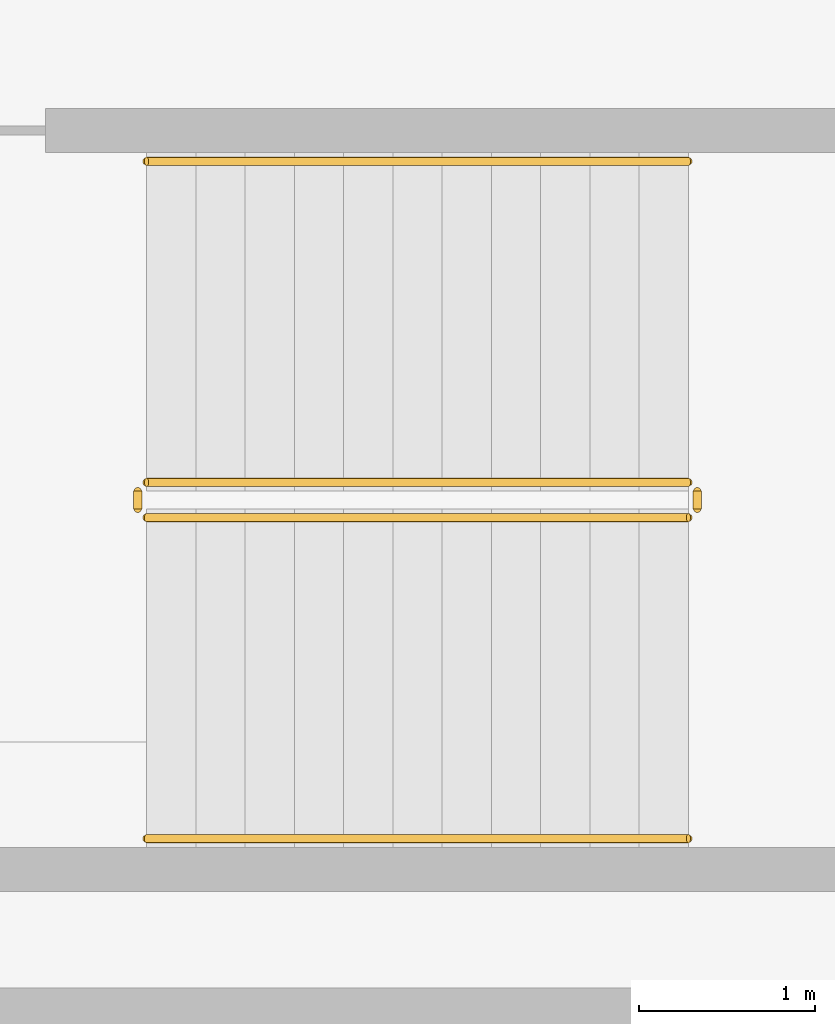
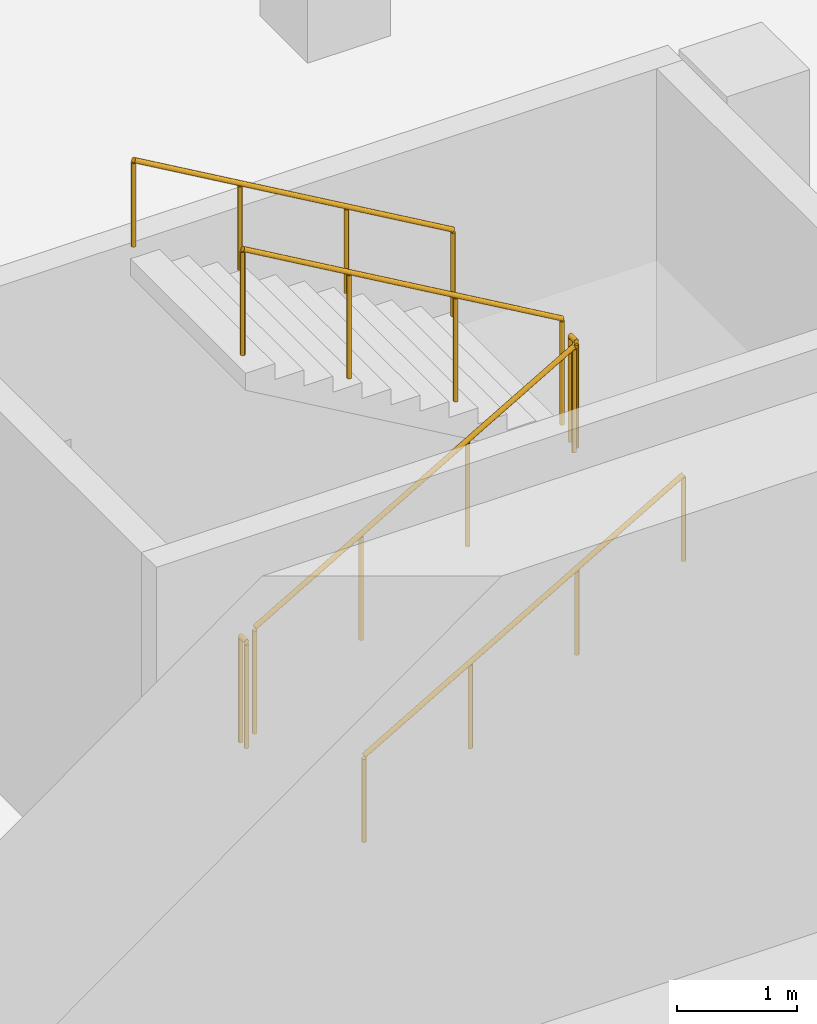
# One storey, part 20 of 27: 6 railings.
"""IFC4 building model written with IfcOpenShell, lengths in metres."""

import ifcopenshell
import ifcopenshell.guid

model = None  # the IFC model being written
_history = None  # IfcOwnerHistory: only IFC2X3 demands one
_inside = {}  # id of a spatial element -> (the spatial element, [elements in it])
_under = {}  # id of a project, library or spatial element -> (it, [spatial elements below it])
_declared = {}  # id of a project -> (the project, [libraries it declares])
_typed = {}  # id of a type object -> (the type object, [elements of that type])
_made_of = {}  # id of a material, layer set ... -> (it, [elements and type objects made of it])


def new_model(schema):
    """Start an empty IFC model of exactly this schema.

    Asked for "IFC4X3", IfcOpenShell would pick the latest addendum, in which some entities
    have other attributes; the version numbers below select the first issue.
    IFC2X3 requires an IfcOwnerHistory on every rooted entity: one is made here for all.
    """
    global model, _history
    if schema == "IFC4X3":
        model = ifcopenshell.file(schema_version=(4, 3, 0, 0))
    else:
        model = ifcopenshell.file(schema=schema)
    _inside.clear()
    _under.clear()
    _declared.clear()
    _typed.clear()
    _made_of.clear()
    _history = None
    if model.schema == "IFC2X3":
        org = make("IfcOrganization", Name="unknown")
        user = make(
            "IfcPersonAndOrganization",
            ThePerson=make("IfcPerson", FamilyName="unknown"),
            TheOrganization=org,
        )
        app = make(
            "IfcApplication",
            ApplicationDeveloper=org,
            Version="unknown",
            ApplicationFullName="unknown",
            ApplicationIdentifier="unknown",
        )
        _history = make(
            "IfcOwnerHistory",
            OwningUser=user,
            OwningApplication=app,
            ChangeAction="ADDED",
            CreationDate=0,
        )
    return model


def make(cls, **values):
    """One entity of the class cls with the attributes given. An attribute that is None is left unset."""
    return model.create_entity(
        cls, **{name: value for name, value in values.items() if value is not None}
    )


def rooted(cls, **values):
    """An entity with a GlobalId (a new one), such as an element, a storey or a relation."""
    return make(cls, GlobalId=ifcopenshell.guid.new(), OwnerHistory=_history, **values)


def si_unit(unit_type, name, prefix=None):
    """IfcSIUnit, for example si_unit("LENGTHUNIT", "METRE", prefix="MILLI")."""
    return make("IfcSIUnit", UnitType=unit_type, Prefix=prefix, Name=name)


def assignment(units):
    """IfcUnitAssignment: the units of a project."""
    return None if units is None else make("IfcUnitAssignment", Units=units)


def point(xyz):
    """IfcCartesianPoint."""
    return None if xyz is None else make("IfcCartesianPoint", Coordinates=xyz)


def direction(xyz):
    """IfcDirection."""
    return None if xyz is None else make("IfcDirection", DirectionRatios=xyz)


def frame(location, z_axis=None, x_axis=None):
    """IfcAxis2Placement3D, a coordinate frame: its origin and axes. An axis left out is left unset."""
    return make(
        "IfcAxis2Placement3D",
        Location=point(location),
        Axis=direction(z_axis),
        RefDirection=direction(x_axis),
    )


def frame_2d(location, x_axis=None):
    """IfcAxis2Placement2D, a coordinate frame in the plane: its origin and x axis."""
    return make(
        "IfcAxis2Placement2D", Location=point(location), RefDirection=direction(x_axis)
    )


def origin():
    """The frame at (0, 0, 0) with its axes left unset."""
    return frame((0.0, 0.0, 0.0))


def origin_2d():
    """The frame at (0, 0) in the plane with its x axis left unset."""
    return frame_2d((0.0, 0.0))


def place(relative_to, where):
    """IfcLocalPlacement: puts the frame where relative to a parent placement (None: the world)."""
    return make(
        "IfcLocalPlacement", PlacementRelTo=relative_to, RelativePlacement=where
    )


def context(
    kind, dimensions, precision=None, world=None, true_north=None, identifier=None
):
    """IfcGeometricRepresentationContext, for example the 3D "Model" context."""
    return make(
        "IfcGeometricRepresentationContext",
        ContextIdentifier=identifier,
        ContextType=kind,
        CoordinateSpaceDimension=dimensions,
        Precision=precision,
        WorldCoordinateSystem=world,
        TrueNorth=true_north,
    )


def subcontext(parent, identifier, kind, view, scale=None):
    """IfcGeometricRepresentationSubContext, for example "Body" below "Model"."""
    return make(
        "IfcGeometricRepresentationSubContext",
        ContextIdentifier=identifier,
        ContextType=kind,
        ParentContext=parent,
        TargetScale=scale,
        TargetView=view,
    )


def project(units=None, contexts=None):
    """IfcProject with its units and contexts."""
    return rooted(
        "IfcProject",
        Name="project",
        RepresentationContexts=contexts,
        UnitsInContext=assignment(units),
    )


def spatial(cls, under=None, at=None, **own):
    """A site, building, storey or space (cls), placed at a placement, below another one or the project."""
    s = rooted(cls, ObjectPlacement=at, **own)
    if under is not None:
        _under.setdefault(under.id(), (under, []))[1].append(s)
    return s


def profile(cls, at=None, kind="AREA", **sizes):
    """A parametric profile (cls). Its sizes go by their IFC names, for example OverallWidth=200.0."""
    return make(cls, ProfileType=kind, Position=at, **sizes)


def circle(**sizes):
    """IfcCircleProfileDef."""
    return profile("IfcCircleProfileDef", **sizes)


def extrude(swept, where, along, depth):
    """IfcExtrudedAreaSolid: the profile swept, set in the frame where, extruded along a direction by depth."""
    return make(
        "IfcExtrudedAreaSolid",
        SweptArea=swept,
        Position=where,
        ExtrudedDirection=direction(along),
        Depth=depth,
    )


def shape(context_of_items, identifier, shape_type, items):
    """IfcShapeRepresentation: the items that make up one representation, for example the "Body"."""
    return make(
        "IfcShapeRepresentation",
        ContextOfItems=context_of_items,
        RepresentationIdentifier=identifier,
        RepresentationType=shape_type,
        Items=items,
    )


def material(Name=None, Category=None):
    """IfcMaterial."""
    return make("IfcMaterial", Name=Name, Category=Category)


def made_of(thing, what):
    """Note that an element or type object is made of a material, layer set ...; save() writes the relation."""
    if what is not None:
        _made_of.setdefault(what.id(), (what, []))[1].append(thing)
    return thing


def type_object(cls, material=None, **own):
    """A type object (cls), such as IfcWallType, which elements share."""
    return made_of(rooted(cls, **own), material)


def element(
    cls,
    number,
    at=None,
    inside=None,
    cuts=None,
    type_object=None,
    material=None,
    context=None,
    identifier="Body",
    shape_type=None,
    held_by="IfcProductDefinitionShape",
    body=None,
    shapes=None,
    **own,
):
    """One element of the class cls, such as IfcWall. Its Tag is "e" and its number.

    at: its placement. inside: the storey or other place that contains it. cuts: it is an
    opening in that element (IfcRelVoidsElement). A single representation is given by context,
    identifier, shape_type and body (its items); several are given by shapes. held_by: the class
    of the entity that holds the representations. save() writes the other relations.
    """
    e = rooted(cls, Tag="e%d" % number, ObjectPlacement=at, **own)
    if body is not None:
        shapes = [shape(context, identifier, shape_type, body)]
    if shapes is not None:
        e.Representation = make(held_by, Representations=shapes)
    if inside is not None:
        _inside.setdefault(inside.id(), (inside, []))[1].append(e)
    if cuts is not None:
        rooted(
            "IfcRelVoidsElement", RelatingBuildingElement=cuts, RelatedOpeningElement=e
        )
    if type_object is not None:
        _typed.setdefault(type_object.id(), (type_object, []))[1].append(e)
    return made_of(e, material)


def aggregate(whole, parts):
    """IfcRelAggregates: a whole, such as a stair, and the parts it consists of."""
    return rooted("IfcRelAggregates", RelatingObject=whole, RelatedObjects=parts)


def save(model, path):
    """Write the relations noted so far, then the file.

    IfcRelAggregates (storeys below a building ...), IfcRelContainedInSpatialStructure (elements
    in a storey), IfcRelDefinesByType, IfcRelAssociatesMaterial and IfcRelDeclares: one each for
    every whole, place, type object, material and project.
    """
    for whole, parts in _under.values():
        aggregate(whole, parts)
    for where, things in _inside.values():
        rooted(
            "IfcRelContainedInSpatialStructure",
            RelatedElements=things,
            RelatingStructure=where,
        )
    for kind, things in _typed.values():
        rooted("IfcRelDefinesByType", RelatedObjects=things, RelatingType=kind)
    for what, things in _made_of.values():
        rooted("IfcRelAssociatesMaterial", RelatedObjects=things, RelatingMaterial=what)
    for by, libraries in _declared.values():
        rooted("IfcRelDeclares", RelatingContext=by, RelatedDefinitions=libraries)
    model.write(path)


model = new_model("IFC4")

# Units and contexts
model_context = context("Model", 3, precision=1e-05, world=origin(), true_north=direction((0.0, 1.0)))
body_context = subcontext(model_context, "Body", "Model", "MODEL_VIEW")
ifc_project = project(units=[si_unit("LENGTHUNIT", "METRE"), si_unit("AREAUNIT", "SQUARE_METRE"), si_unit("VOLUMEUNIT", "CUBIC_METRE"), si_unit("PLANEANGLEUNIT", "RADIAN"), si_unit("MASSUNIT", "GRAM", prefix="KILO")], contexts=[model_context])

# Site, building, storey
site_placement = place(None, origin())
site = spatial("IfcSite", under=ifc_project, at=site_placement, CompositionType="ELEMENT")
building_placement = place(site_placement, origin())
building = spatial("IfcBuilding", under=site, at=building_placement, Name="Verdalira Terraces Hotel", CompositionType="ELEMENT")
storey_placement = place(building_placement, frame((0.0, 0.0, -11.699951)))
storey = spatial("IfcBuildingStorey", under=building, at=storey_placement, Name="B3", CompositionType="ELEMENT", Elevation=-11.699951171875)

# Railings
ifc_material_1 = material(Name="Stainless steel", Category="steel")
railing_type_1 = type_object("IfcRailingType", Name="Stair guard 1100", PredefinedType="GUARDRAIL", material=ifc_material_1)
railing_1_placement = place(storey_placement, frame((-30.975098, -50.324951, 0.162354)))
element("IfcRailing", 1, at=railing_1_placement, inside=storey, type_object=railing_type_1, Name="B3 Basement stair 1 stair guard 1", PredefinedType="GUARDRAIL", context=body_context, shape_type="SweptSolid", body=[
    extrude(circle(Radius=0.023926, at=origin_2d()), frame((0.0, 0.0, 1.076172), z_axis=(0.864890721, 0.0, 0.501960198), x_axis=(0.0, 1.0, 0.0)), (0.0, 0.0, 1.0), 3.561279),
    extrude(circle(Radius=0.020996, at=origin_2d()), origin(), (0.0, 0.0, 1.0), 1.052002),
    extrude(circle(Radius=0.020996, at=origin_2d()), frame((1.026611, 0.0, 0.595947)), (0.0, 0.0, 1.0), 1.052002),
    extrude(circle(Radius=0.020996, at=origin_2d()), frame((2.053467, 0.0, 1.19165)), (0.0, 0.0, 1.0), 1.052002),
    extrude(circle(Radius=0.020996, at=origin_2d()), frame((3.080078, 0.0, 1.787598)), (0.0, 0.0, 1.0), 1.052002),
])
railing_2_placement = place(storey_placement, frame((-27.844971, -50.274902, 1.949951)))
element("IfcRailing", 2, at=railing_2_placement, inside=storey, type_object=railing_type_1, Name="B3 Basement stair 1 stair guard 2", PredefinedType="GUARDRAIL", context=body_context, shape_type="SweptSolid", body=[
    extrude(circle(Radius=0.023926, at=origin_2d()), frame((0.0, 0.0, 1.076172), z_axis=(0.0, 1.0, 0.0), x_axis=(-1.0, 0.0, 0.0)), (0.0, 0.0, 1.0), 0.099854),
    extrude(circle(Radius=0.020996, at=origin_2d()), origin(), (0.0, 0.0, 1.0), 1.052002),
    extrude(circle(Radius=0.020996, at=origin_2d()), frame((0.0, 0.099854, 0.0)), (0.0, 0.0, 1.0), 1.052002),
])
railing_3_placement = place(storey_placement, frame((-27.89502, -50.125, 2.112549)))
element("IfcRailing", 3, at=railing_3_placement, inside=storey, type_object=railing_type_1, Name="B3 Basement stair 1 stair guard 3", PredefinedType="GUARDRAIL", context=body_context, shape_type="SweptSolid", body=[
    extrude(circle(Radius=0.023926, at=origin_2d()), frame((0.0, 0.0, 1.076172), z_axis=(-0.864920483, 0.0, 0.501908914), x_axis=(0.0, -1.0, 0.0)), (0.0, 0.0, 1.0), 3.561035),
    extrude(circle(Radius=0.020996, at=origin_2d()), origin(), (0.0, 0.0, 1.0), 1.052002),
    extrude(circle(Radius=0.020996, at=origin_2d()), frame((-1.026611, 0.0, 0.595703)), (0.0, 0.0, 1.0), 1.052002),
    extrude(circle(Radius=0.020996, at=origin_2d()), frame((-2.053467, 0.0, 1.19165)), (0.0, 0.0, 1.0), 1.052002),
    extrude(circle(Radius=0.020996, at=origin_2d()), frame((-3.080078, 0.0, 1.787354)), (0.0, 0.0, 1.0), 1.052002),
])
railing_4_placement = place(storey_placement, frame((-31.024902, -50.274902, 0.0)))
element("IfcRailing", 4, at=railing_4_placement, inside=storey, type_object=railing_type_1, Name="B3 Basement stair 1 stair guard 4", PredefinedType="GUARDRAIL", context=body_context, shape_type="SweptSolid", body=[
    extrude(circle(Radius=0.023926, at=origin_2d()), frame((0.0, 0.0, 1.076172), z_axis=(0.0, 1.0, 0.0), x_axis=(-1.0, 0.0, 0.0)), (0.0, 0.0, 1.0), 0.099854),
    extrude(circle(Radius=0.020996, at=origin_2d()), origin(), (0.0, 0.0, 1.0), 1.052002),
    extrude(circle(Radius=0.020996, at=origin_2d()), frame((0.0, 0.099854, 0.0)), (0.0, 0.0, 1.0), 1.052002),
])
ifc_material_2 = material(Name="Stainless steel", Category="steel")
railing_type_2 = type_object("IfcRailingType", Name="Stair handrail 900", PredefinedType="HANDRAIL", material=ifc_material_2)
railing_5_placement = place(storey_placement, frame((-30.975098, -52.149902, 0.162354)))
element("IfcRailing", 5, at=railing_5_placement, inside=storey, type_object=railing_type_2, Name="B3 Basement stair 1 stair handrail 1", PredefinedType="HANDRAIL", context=body_context, shape_type="SweptSolid", body=[
    extrude(circle(Radius=0.023926, at=origin_2d()), frame((0.0, 0.0, 0.875977), z_axis=(0.864890721, 0.0, 0.501960198), x_axis=(0.0, 1.0, 0.0)), (0.0, 0.0, 1.0), 3.561279),
    extrude(circle(Radius=0.020996, at=origin_2d()), origin(), (0.0, 0.0, 1.0), 0.851807),
    extrude(circle(Radius=0.020996, at=origin_2d()), frame((1.026611, 0.0, 0.595947)), (0.0, 0.0, 1.0), 0.851807),
    extrude(circle(Radius=0.020996, at=origin_2d()), frame((2.053467, 0.0, 1.19165)), (0.0, 0.0, 1.0), 0.851807),
    extrude(circle(Radius=0.020996, at=origin_2d()), frame((3.080078, 0.0, 1.787598)), (0.0, 0.0, 1.0), 0.851807),
])
railing_6_placement = place(storey_placement, frame((-27.89502, -48.300049, 2.112549)))
element("IfcRailing", 6, at=railing_6_placement, inside=storey, type_object=railing_type_2, Name="B3 Basement stair 1 stair handrail 2", PredefinedType="HANDRAIL", context=body_context, shape_type="SweptSolid", body=[
    extrude(circle(Radius=0.023926, at=origin_2d()), frame((0.0, 0.0, 0.875977), z_axis=(-0.864920483, 0.0, 0.501908914), x_axis=(0.0, -1.0, 0.0)), (0.0, 0.0, 1.0), 3.561035),
    extrude(circle(Radius=0.020996, at=origin_2d()), origin(), (0.0, 0.0, 1.0), 0.851807),
    extrude(circle(Radius=0.020996, at=origin_2d()), frame((-1.026611, 0.0, 0.595703)), (0.0, 0.0, 1.0), 0.851807),
    extrude(circle(Radius=0.020996, at=origin_2d()), frame((-2.053467, 0.0, 1.19165)), (0.0, 0.0, 1.0), 0.851807),
    extrude(circle(Radius=0.020996, at=origin_2d()), frame((-3.080078, 0.0, 1.787354)), (0.0, 0.0, 1.0), 0.851807),
])

save(model, "model.ifc")
